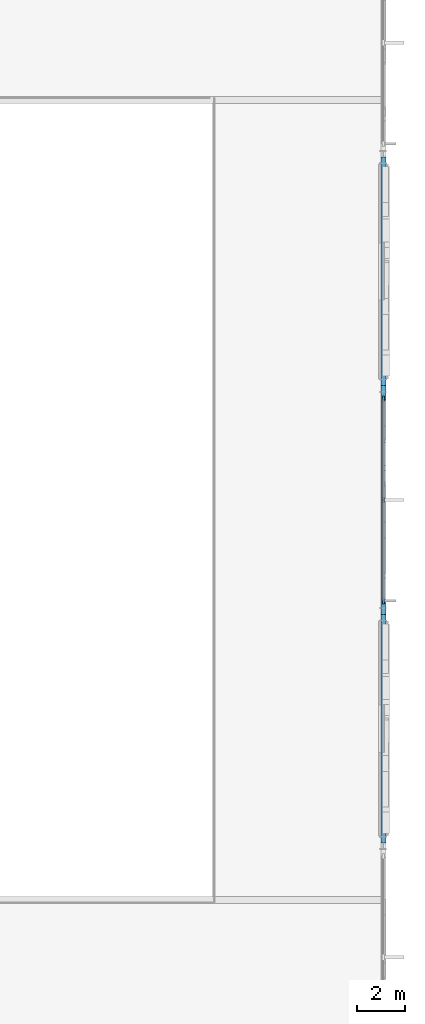
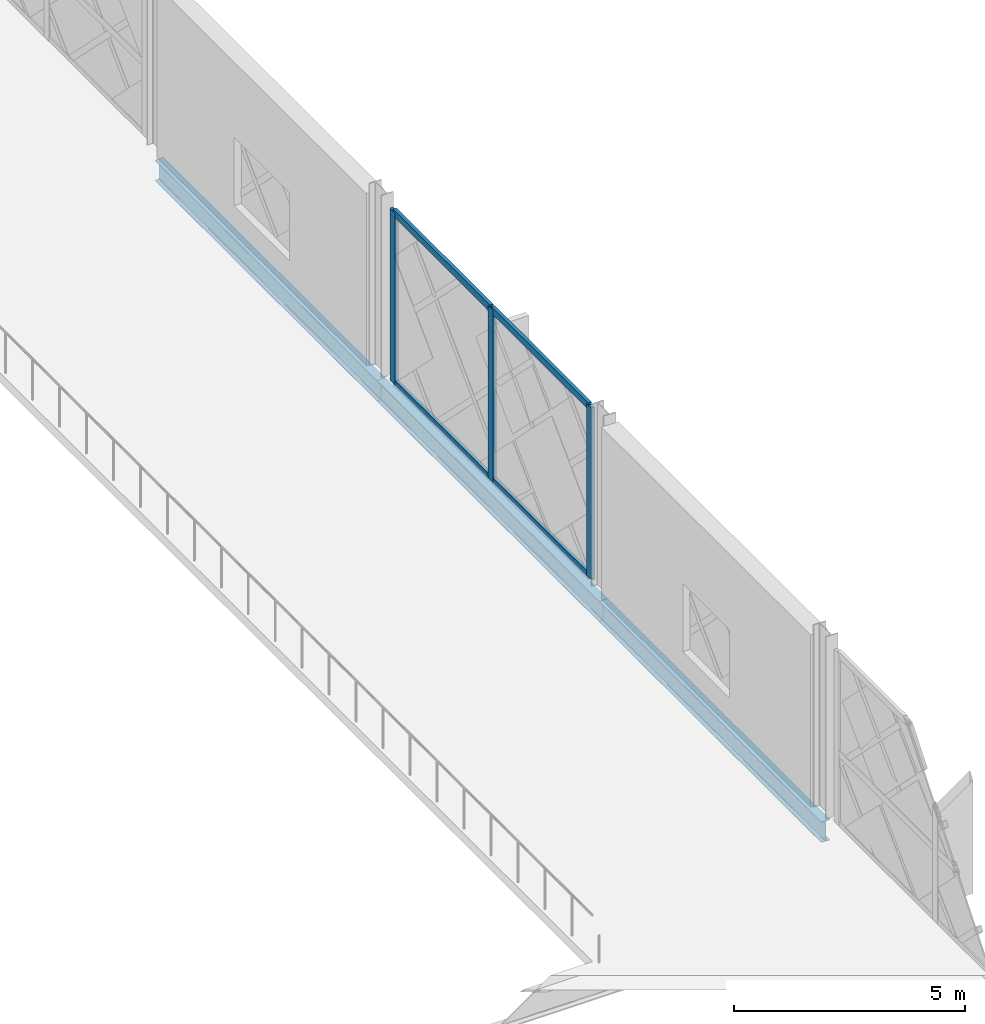
# One storey, part 37 of 77: 7 members, 3 beams, 1 element without a shape of its own.
"""IFC4 building model written with IfcOpenShell, lengths in metres."""

from ifc_helpers import new_model, si_unit, direction, frame, origin, origin_2d, place, context, subcontext, project, spatial, rectangle, i_section, extrude, material, layer, layer_set, material_profile, profile_set, type_object, element, aggregate, save


model = new_model("IFC4")

# Units and contexts
model_context = context("Model", 3, precision=1e-05, world=origin(), true_north=direction((0.0, 1.0)))
body_context = subcontext(model_context, "Body", "Model", "MODEL_VIEW")
ifc_project = project(units=[si_unit("LENGTHUNIT", "METRE"), si_unit("AREAUNIT", "SQUARE_METRE"), si_unit("VOLUMEUNIT", "CUBIC_METRE"), si_unit("PLANEANGLEUNIT", "RADIAN"), si_unit("MASSUNIT", "GRAM", prefix="KILO")], contexts=[model_context])

# Site, building, storey
site_placement = place(None, origin())
site = spatial("IfcSite", under=ifc_project, at=site_placement, CompositionType="ELEMENT")
building_placement = place(site_placement, origin())
building = spatial("IfcBuilding", under=site, at=building_placement, Name="Zevrakil Square Congress Hotel", CompositionType="ELEMENT")
storey_placement = place(building_placement, frame((0.0, 0.0, 9.89990234375)))
storey = spatial("IfcBuildingStorey", under=building, at=storey_placement, Name="L03", CompositionType="ELEMENT", Elevation=9.89990234375)

# Beams
ifc_material_1 = material(Name="Steel S355", Category="steel")
ifc_material_profile_1 = material_profile(ifc_material_1, i_section(OverallWidth=0.2099609375, OverallDepth=0.550048828125, WebThickness=0.010986328125, FlangeThickness=0.01708984375, FilletRadius=0.02392578125, at=origin_2d()), Name="IPE 550")
ifc_profile_set_1 = profile_set([ifc_material_profile_1], Name="Steel S355")
beam_type = type_object("IfcBeamType", Name="BM-IPE550", PredefinedType="BEAM", material=ifc_profile_set_1)
for number, where, z_axis, x_axis, name in (
    (1, (165.60009765625, 74.39990234375, -0.534912109375), (0.0, 1.0, 0.0), (-1.0, 0.0, 0.0), "L03 primary girder BY-1188"),
    (2, (165.60009765625, 84.0, -0.534912109375), (0.0, 1.0, 0.0), (-1.0, 0.0, 0.0), "L03 primary girder BY-1189"),
):
    element("IfcBeam", number, at=place(storey_placement, frame(where, z_axis=z_axis, x_axis=x_axis)), inside=storey, type_object=beam_type, Name=name, PredefinedType="BEAM", context=body_context, shape_type="SweptSolid", body=[
        extrude(i_section(OverallWidth=0.2099609375, OverallDepth=0.550048828125, WebThickness=0.010986328125, FlangeThickness=0.01708984375, FilletRadius=0.02392578125, at=origin_2d()), origin(), (0.0, 0.0, 1.0), 9.60009765625),
    ])
beam_placement = place(storey_placement, frame((165.60009765625, 93.60009765625, -0.534912109375), z_axis=(0.0, 1.0, 0.0), x_axis=(-1.0, 0.0, 0.0)))
element("IfcBeam", 3, at=beam_placement, inside=storey, type_object=beam_type, Name="L03 primary girder BY-1190", PredefinedType="BEAM", context=body_context, shape_type="SweptSolid", body=[
    extrude(i_section(OverallWidth=0.2099609375, OverallDepth=0.550048828125, WebThickness=0.010986328125, FlangeThickness=0.01708984375, FilletRadius=0.02392578125, at=origin_2d()), origin(), (0.0, 0.0, 1.0), 9.599853515625),
])

# Curtain wall, members
ifc_material_2 = material(Name="Aluminium Anodised Bronze", Category="aluminium")
ifc_layer = layer(ifc_material_2, 0.179931640625)
ifc_layer_set = layer_set([ifc_layer], Name="Aluminium Anodised Bronze")
curtain_wall_type = type_object("IfcCurtainWallType", Name="CW-L03-840", PredefinedType="USERDEFINED", material=ifc_layer_set)
curtain_wall_placement = place(storey_placement, origin())
curtain_wall = element("IfcCurtainWall", 4, at=curtain_wall_placement, inside=storey, type_object=curtain_wall_type, Name="L03 diamond curtain wall CW-L03-0053", ObjectType="GLAZED CURTAIN WALL", PredefinedType="USERDEFINED")
ifc_material_3 = material(Name="Aluminium Anodised Bronze", Category="aluminium")
ifc_material_profile_2 = material_profile(ifc_material_3, rectangle(XDim=0.0849609375, YDim=0.179931640625, at=origin_2d()), Name="ALU 85x180")
ifc_profile_set_2 = profile_set([ifc_material_profile_2], Name="Aluminium Anodised Bronze")
member_type_1 = type_object("IfcMemberType", Name="CWM-ALU85x180", PredefinedType="USERDEFINED", material=ifc_profile_set_2)
member_1_placement = place(storey_placement, frame((165.60009765625, 84.580078125, 0.030029296875), z_axis=(0.0, 1.0, 0.0), x_axis=(-1.0, 0.0, 0.0)))
member_1 = element("IfcMember", 5, at=member_1_placement, type_object=member_type_1, Name="CW-35 transom 1.1", ObjectType="TRANSOM", PredefinedType="USERDEFINED", context=body_context, shape_type="SweptSolid", body=[
    extrude(rectangle(XDim=0.0849609375, YDim=0.179931640625, at=origin_2d()), origin(), (0.0, 0.0, 1.0), 4.18994140625),
])
member_2_placement = place(storey_placement, frame((165.60009765625, 84.580078125, 4.510009765625), z_axis=(0.0, 1.0, 0.0), x_axis=(-1.0, 0.0, 0.0)))
member_2 = element("IfcMember", 6, at=member_2_placement, type_object=member_type_1, Name="CW-35 transom 1.2", ObjectType="TRANSOM", PredefinedType="USERDEFINED", context=body_context, shape_type="SweptSolid", body=[
    extrude(rectangle(XDim=0.0849609375, YDim=0.179931640625, at=origin_2d()), origin(), (0.0, 0.0, 1.0), 4.18994140625),
])
member_3_placement = place(storey_placement, frame((165.60009765625, 88.830078125, 0.030029296875), z_axis=(0.0, 1.0, 0.0), x_axis=(-1.0, 0.0, 0.0)))
member_3 = element("IfcMember", 7, at=member_3_placement, type_object=member_type_1, Name="CW-35 transom 2.1", ObjectType="TRANSOM", PredefinedType="USERDEFINED", context=body_context, shape_type="SweptSolid", body=[
    extrude(rectangle(XDim=0.0849609375, YDim=0.179931640625, at=origin_2d()), origin(), (0.0, 0.0, 1.0), 4.18994140625),
])
member_4_placement = place(storey_placement, frame((165.60009765625, 88.830078125, 4.510009765625), z_axis=(0.0, 1.0, 0.0), x_axis=(-1.0, 0.0, 0.0)))
member_4 = element("IfcMember", 8, at=member_4_placement, type_object=member_type_1, Name="CW-35 transom 2.2", ObjectType="TRANSOM", PredefinedType="USERDEFINED", context=body_context, shape_type="SweptSolid", body=[
    extrude(rectangle(XDim=0.0849609375, YDim=0.179931640625, at=origin_2d()), origin(), (0.0, 0.0, 1.0), 4.18994140625),
])
ifc_material_4 = material(Name="Aluminium Anodised Bronze", Category="aluminium")
ifc_material_profile_3 = material_profile(ifc_material_4, rectangle(XDim=0.0849609375, YDim=0.219970703125, at=origin_2d()), Name="ALU 85x220")
ifc_profile_set_3 = profile_set([ifc_material_profile_3], Name="Aluminium Anodised Bronze")
member_type_2 = type_object("IfcMemberType", Name="CWM-ALU85x220", PredefinedType="MULLION", material=ifc_profile_set_3)
member_5_placement = place(storey_placement, frame((165.60009765625, 84.550048828125, 0.0), z_axis=(0.0, 0.0, 1.0), x_axis=(-1.0, 0.0, 0.0)))
member_5 = element("IfcMember", 9, at=member_5_placement, type_object=member_type_2, Name="CW-35 mullion 1", PredefinedType="MULLION", context=body_context, shape_type="SweptSolid", body=[
    extrude(rectangle(XDim=0.0849609375, YDim=0.219970703125, at=origin_2d()), origin(), (0.0, 0.0, 1.0), 4.5400390625),
])
member_6_placement = place(storey_placement, frame((165.60009765625, 88.800048828125, 0.0), z_axis=(0.0, 0.0, 1.0), x_axis=(-1.0, 0.0, 0.0)))
member_6 = element("IfcMember", 10, at=member_6_placement, type_object=member_type_2, Name="CW-35 mullion 2", PredefinedType="MULLION", context=body_context, shape_type="SweptSolid", body=[
    extrude(rectangle(XDim=0.0849609375, YDim=0.219970703125, at=origin_2d()), origin(), (0.0, 0.0, 1.0), 4.5400390625),
])
member_7_placement = place(storey_placement, frame((165.60009765625, 93.050048828125, 0.0), z_axis=(0.0, 0.0, 1.0), x_axis=(-1.0, 0.0, 0.0)))
member_7 = element("IfcMember", 11, at=member_7_placement, type_object=member_type_2, Name="CW-35 mullion 3", PredefinedType="MULLION", context=body_context, shape_type="SweptSolid", body=[
    extrude(rectangle(XDim=0.0849609375, YDim=0.219970703125, at=origin_2d()), origin(), (0.0, 0.0, 1.0), 4.5400390625),
])
aggregate(curtain_wall, [member_5, member_6, member_7, member_1, member_2, member_3, member_4])

save(model, "model.ifc")
